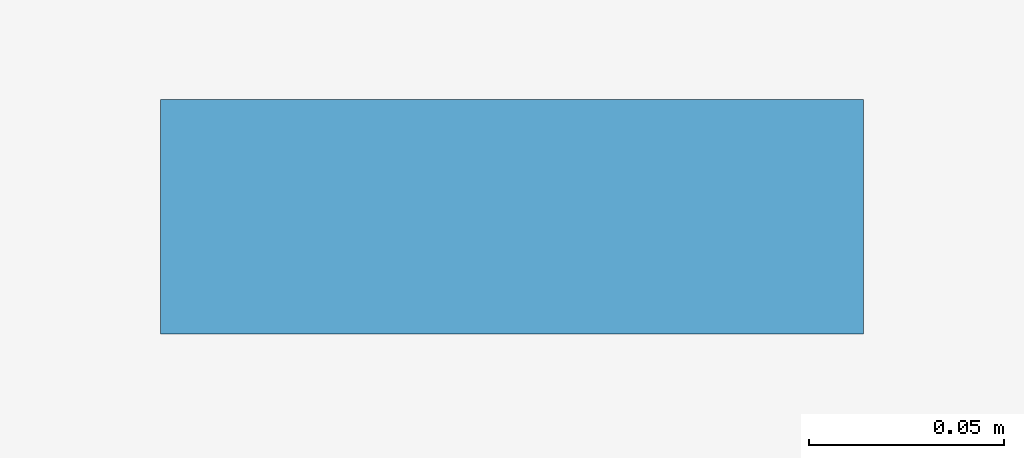
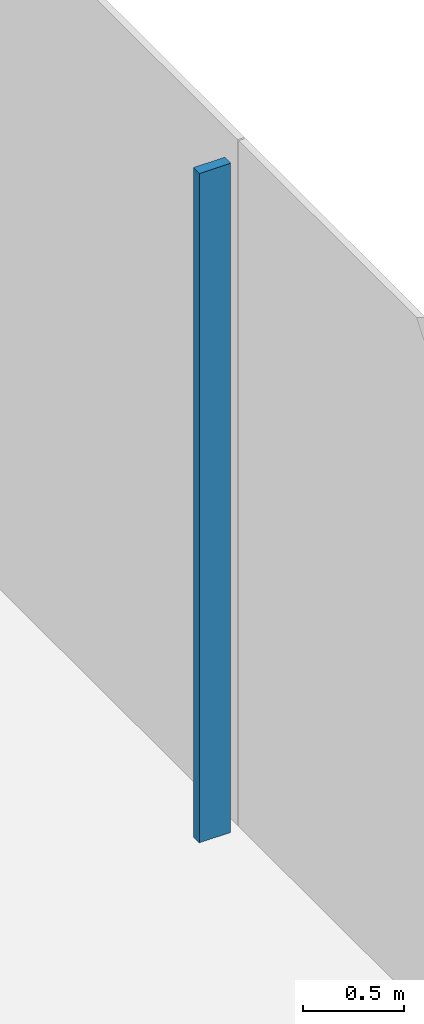
# One storey, part 9 of 23: 1 member, 1 element without a shape of its own.
"""IFC4 building model written with IfcOpenShell, lengths in metres."""

from ifc_helpers import new_model, si_unit, direction, frame, origin, origin_2d, place, context, subcontext, project, spatial, rectangle, extrude, material, layer, layer_set, material_profile, profile_set, type_object, element, aggregate, save


model = new_model("IFC4")

# Units and contexts
model_context = context("Model", 3, precision=1e-05, world=origin(), true_north=direction((0.0, 1.0)))
body_context = subcontext(model_context, "Body", "Model", "MODEL_VIEW")
ifc_project = project(units=[si_unit("LENGTHUNIT", "METRE"), si_unit("AREAUNIT", "SQUARE_METRE"), si_unit("VOLUMEUNIT", "CUBIC_METRE"), si_unit("PLANEANGLEUNIT", "RADIAN"), si_unit("MASSUNIT", "GRAM", prefix="KILO")], contexts=[model_context])

# Site, building, storey
site_placement = place(None, origin())
site = spatial("IfcSite", under=ifc_project, at=site_placement, CompositionType="ELEMENT")
building_placement = place(site_placement, origin())
building = spatial("IfcBuilding", under=site, at=building_placement, Name="Shamsa Quay Exchange Towers", CompositionType="ELEMENT")
storey_placement = place(building_placement, frame((0.0, 0.0, 28.5)))
storey = spatial("IfcBuildingStorey", under=building, at=storey_placement, Name="L05", CompositionType="ELEMENT", Elevation=28.5)

# Curtain wall, member
ifc_material = material(Name="Aluminium EN AW-6063 T6, black anodised", Category="aluminium")
ifc_layer = layer(ifc_material, 0.280029296875)
ifc_layer_set = layer_set([ifc_layer], Name="CW-1 UNITISED VISION GLASS")
curtain_wall_type = type_object("IfcCurtainWallType", Name="CW-1 UNITISED VISION GLASS", PredefinedType="NOTDEFINED", material=ifc_layer_set)
curtain_wall_placement = place(storey_placement, origin())
curtain_wall = element("IfcCurtainWall", 1, at=curtain_wall_placement, inside=storey, type_object=curtain_wall_type, Name="CW1 T2-END-V- L05", PredefinedType="NOTDEFINED")
ifc_material_profile = material_profile(ifc_material, rectangle(XDim=0.179931640625, YDim=0.06005859375, at=origin_2d()), Name="MU60x180")
ifc_profile_set = profile_set([ifc_material_profile], Name="Aluminium EN AW-6063 T6, black anodised")
member_type = type_object("IfcMemberType", Name="CW1 MULLION 60x180", PredefinedType="MULLION", material=ifc_profile_set)
member_placement = place(storey_placement, frame((62.85009765625, 2.25, 0.0), z_axis=(0.0, 0.0, 1.0), x_axis=(-1.0, 0.0, 0.0)))
member = element("IfcMember", 2, at=member_placement, type_object=member_type, Name="CW1 mullion", PredefinedType="MULLION", context=body_context, shape_type="SweptSolid", body=[
    extrude(rectangle(XDim=0.179931640625, YDim=0.06005859375, at=origin_2d()), origin(), (0.0, 0.0, 1.0), 4.050048828125),
])
aggregate(curtain_wall, [member])

save(model, "model.ifc")
